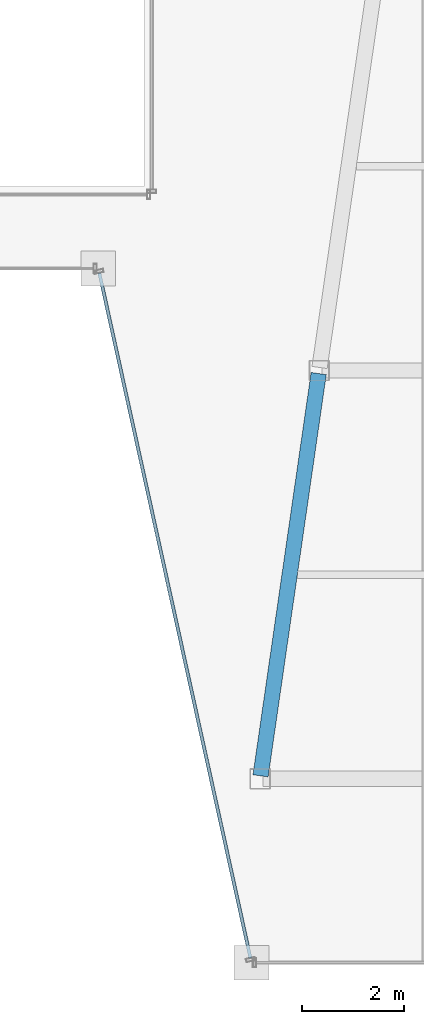
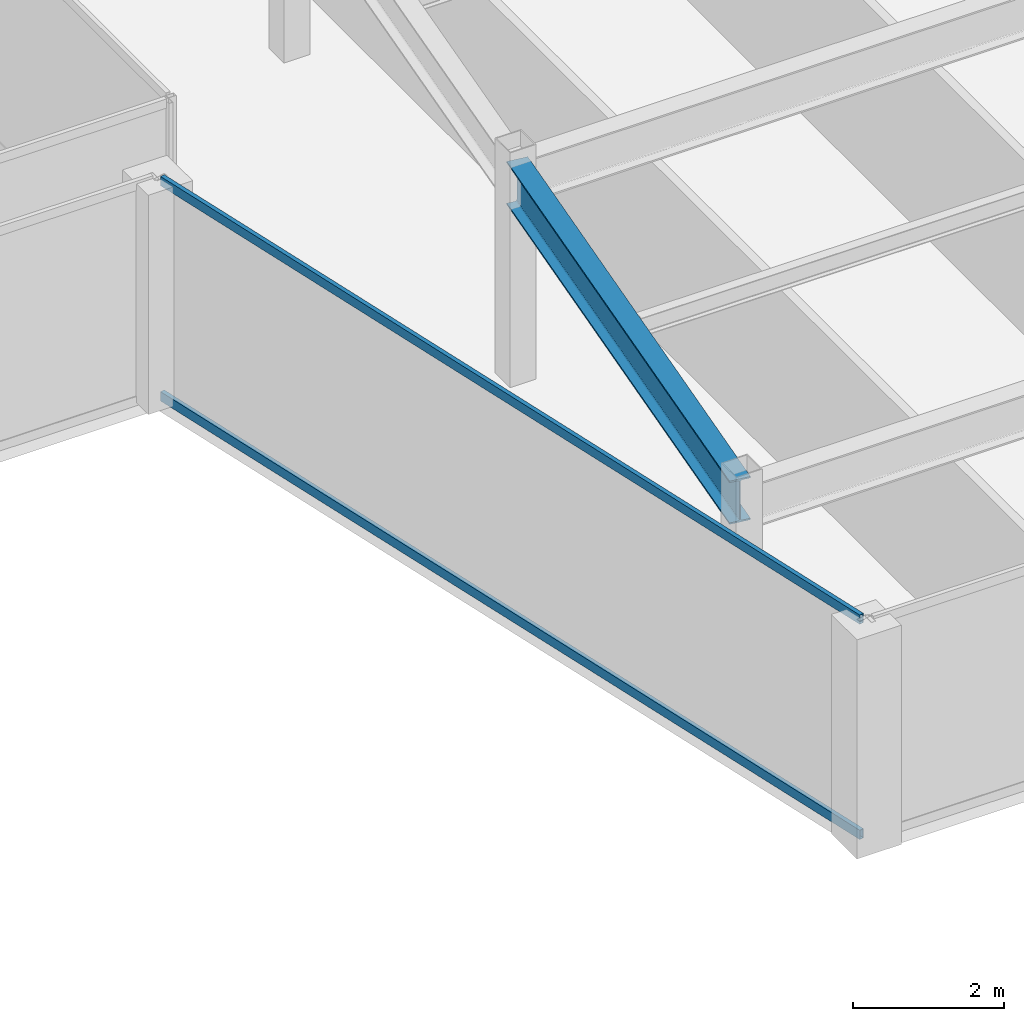
# One storey, part 17 of 36: 2 members, 1 beam, 1 element without a shape of its own.
"""IFC4 building model written with IfcOpenShell, lengths in metres."""

from ifc_helpers import new_model, si_unit, direction, frame, origin, origin_2d, place, context, subcontext, project, spatial, hollow_rectangle, i_section, extrude, material, material_profile, profile_set, type_object, element, aggregate, save


model = new_model("IFC4")

# Units and contexts
model_context = context("Model", 3, precision=1e-05, world=origin(), true_north=direction((0.0, 1.0)))
body_context = subcontext(model_context, "Body", "Model", "MODEL_VIEW")
ifc_project = project(units=[si_unit("LENGTHUNIT", "METRE"), si_unit("AREAUNIT", "SQUARE_METRE"), si_unit("VOLUMEUNIT", "CUBIC_METRE"), si_unit("PLANEANGLEUNIT", "RADIAN"), si_unit("MASSUNIT", "GRAM", prefix="KILO")], contexts=[model_context])

# Site, building, storey
site_placement = place(None, origin())
site = spatial("IfcSite", under=ifc_project, at=site_placement, CompositionType="ELEMENT")
building_placement = place(site_placement, origin())
building = spatial("IfcBuilding", under=site, at=building_placement, Name="Saevonmaru Cultural Tower", CompositionType="ELEMENT")
storey_placement = place(building_placement, frame((0.0, 0.0, 205.60009765625)))
storey = spatial("IfcBuildingStorey", under=building, at=storey_placement, Name="L47", CompositionType="ELEMENT", Elevation=205.60009765625)

# Beam
ifc_material_1 = material(Name="Steel SM355", Category="steel")
ifc_material_profile_1 = material_profile(ifc_material_1, i_section(OverallWidth=0.300048828125, OverallDepth=0.699951171875, WebThickness=0.012939453125, FlangeThickness=0.02392578125, FilletRadius=0.02587890625, at=origin_2d()), Name="H-700x300x13x24")
ifc_profile_set_1 = profile_set([ifc_material_profile_1], Name="Steel SM355")
beam_type = type_object("IfcBeamType", Name="BM-G-H700", PredefinedType="BEAM", material=ifc_profile_set_1)
beam_placement = place(storey_placement, frame((38.08056640625, 16.059326171875, 3.199951171875), z_axis=(0.143022161059, 0.989719486241, 0.0), x_axis=(-0.989719486241, 0.143022161059, 0.0)))
element("IfcBeam", 1, at=beam_placement, inside=storey, type_object=beam_type, Name="L47 East Atrium Girder 1", PredefinedType="BEAM", context=body_context, shape_type="SweptSolid", body=[
    extrude(i_section(OverallWidth=0.300048828125, OverallDepth=0.699951171875, WebThickness=0.012939453125, FlangeThickness=0.02392578125, FilletRadius=0.02587890625, at=origin_2d()), origin(), (0.0, 0.0, 1.0), 7.963134765625),
])

# Curtain wall, members
ifc_material_2 = material(Name="Satin Bronze Anodised Aluminium", Category="aluminium")
curtain_wall_type = type_object("IfcCurtainWallType", Name="CW-TYP-B", PredefinedType="NOTDEFINED", material=ifc_material_2)
curtain_wall_placement = place(storey_placement, origin())
curtain_wall = element("IfcCurtainWall", 2, at=curtain_wall_placement, inside=storey, type_object=curtain_wall_type, Name="L47 Unitised Curtain Wall E5", PredefinedType="NOTDEFINED")
ifc_material_profile_2 = material_profile(ifc_material_2, hollow_rectangle(XDim=0.06494140625, YDim=0.14990234375, WallThickness=0.00390625, at=origin_2d()), Name="ALU-TRAN-150x65x4")
ifc_profile_set_2 = profile_set([ifc_material_profile_2], Name="Satin Bronze Anodised Aluminium")
member_type = type_object("IfcMemberType", Name="TR-CW-150x65", PredefinedType="USERDEFINED", material=ifc_profile_set_2)
member_1_placement = place(storey_placement, frame((34.922119140625, 25.90966796875, 0.032470703125), z_axis=(0.21541214732, -0.976523223885, 0.0), x_axis=(0.976523223885, 0.21541214732, 0.0)))
member_1 = element("IfcMember", 3, at=member_1_placement, type_object=member_type, Name="CW-TW-L47-E5 transom 1.1", ObjectType="TRANSOM", PredefinedType="USERDEFINED", context=body_context, shape_type="SweptSolid", body=[
    extrude(hollow_rectangle(XDim=0.06494140625, YDim=0.14990234375, WallThickness=0.00390625, at=origin_2d()), origin(), (0.0, 0.0, 1.0), 13.741943359375),
])
member_2_placement = place(storey_placement, frame((34.922119140625, 25.90966796875, 3.517333984375), z_axis=(0.21541214732, -0.976523223885, 0.0), x_axis=(0.976523223885, 0.21541214732, 0.0)))
member_2 = element("IfcMember", 4, at=member_2_placement, type_object=member_type, Name="CW-TW-L47-E5 transom 1.2", ObjectType="TRANSOM", PredefinedType="USERDEFINED", context=body_context, shape_type="SweptSolid", body=[
    extrude(hollow_rectangle(XDim=0.06494140625, YDim=0.14990234375, WallThickness=0.00390625, at=origin_2d()), origin(), (0.0, 0.0, 1.0), 13.741943359375),
])
aggregate(curtain_wall, [member_1, member_2])

save(model, "model.ifc")
